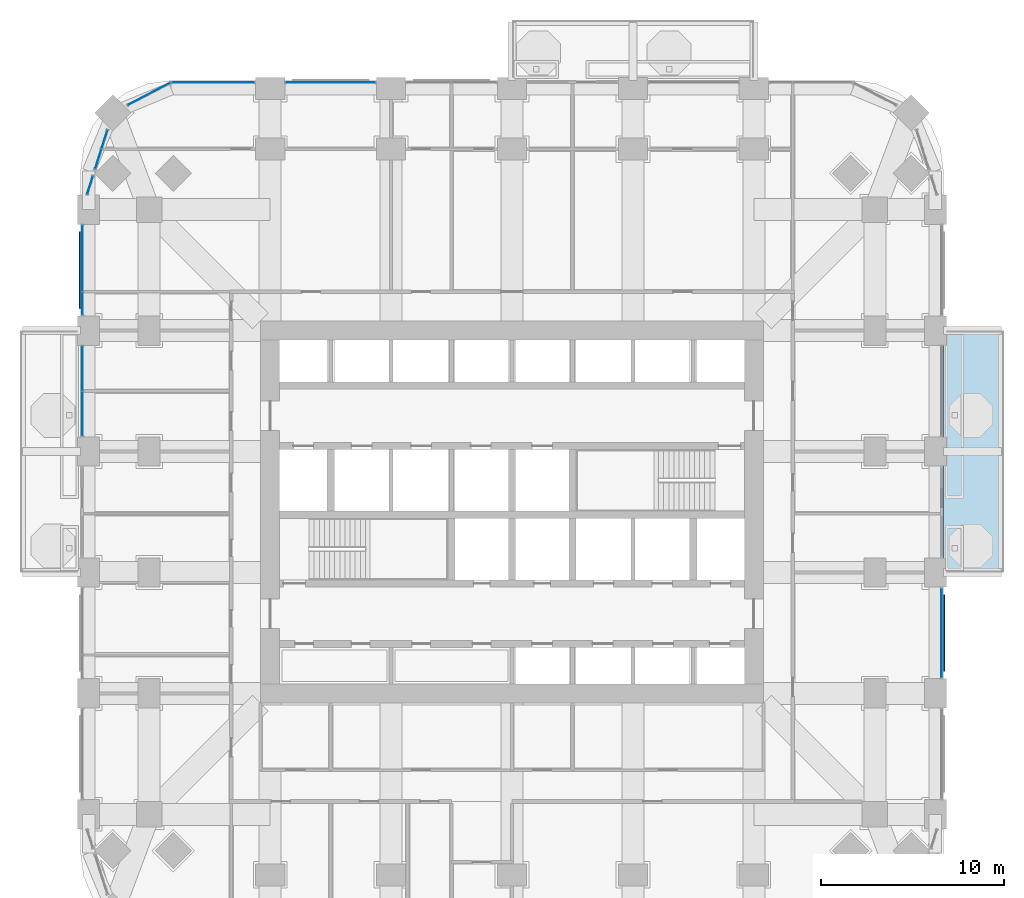
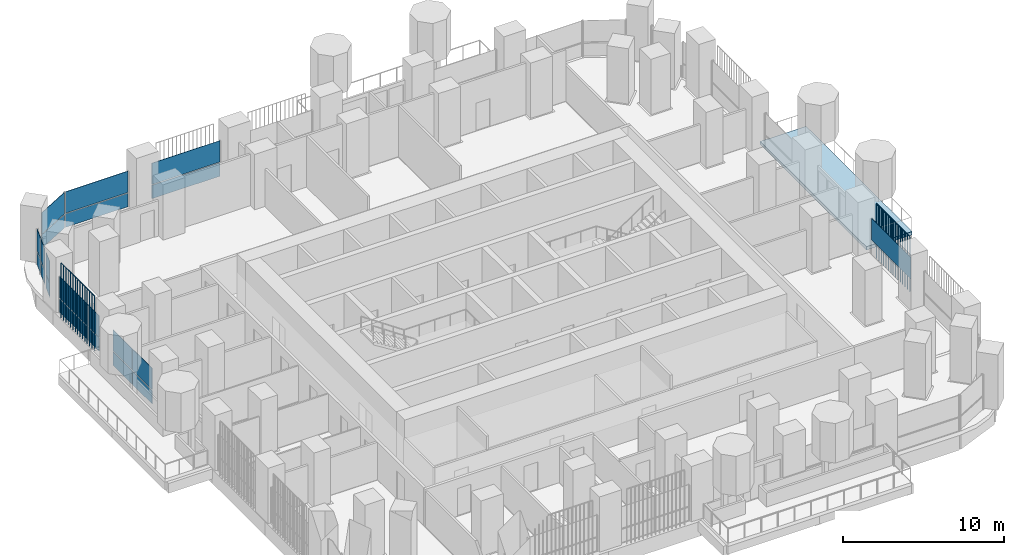
# One storey, part 11 of 21: 23 plates, 1 slab, 8 elements without a shape of their own.
"""IFC4 building model written with IfcOpenShell, lengths in metres."""

from ifc_helpers import new_model, si_unit, direction, frame, origin, origin_2d, place, context, subcontext, project, spatial, polyline, rectangle, outline, extrude, material, layer, layer_set, type_object, element, aggregate, save


model = new_model("IFC4")

# Units and contexts
model_context = context("Model", 3, precision=1e-05, world=origin(), true_north=direction((0.0, 1.0)))
body_context = subcontext(model_context, "Body", "Model", "MODEL_VIEW")
ifc_project = project(units=[si_unit("LENGTHUNIT", "METRE"), si_unit("AREAUNIT", "SQUARE_METRE"), si_unit("VOLUMEUNIT", "CUBIC_METRE"), si_unit("PLANEANGLEUNIT", "RADIAN"), si_unit("MASSUNIT", "GRAM", prefix="KILO")], contexts=[model_context])

# Site, building, storey
site_placement = place(None, origin())
site = spatial("IfcSite", under=ifc_project, at=site_placement, CompositionType="ELEMENT")
building_placement = place(site_placement, origin())
building = spatial("IfcBuilding", under=site, at=building_placement, Name="Cobogo Forest Laboratory Tower", CompositionType="ELEMENT")
storey_placement = place(building_placement, frame((0.0, 0.0, 86.39990234375)))
storey = spatial("IfcBuildingStorey", under=building, at=storey_placement, Name="L19", CompositionType="ELEMENT", Elevation=86.39990234375)

# Slab
ifc_material_1 = material(Name="Concrete HA-40 (C40/50)", Category="concrete")
ifc_layer_1 = layer(ifc_material_1, 0.25)
ifc_layer_set_1 = layer_set([ifc_layer_1], Name="Balcony slab 250")
slab_type = type_object("IfcSlabType", Name="Balcony slab 250", PredefinedType="FLOOR", material=ifc_layer_set_1)
slab_placement = place(storey_placement, frame((0.0, 0.0, -0.25)))
element("IfcSlab", 1, at=slab_placement, inside=storey, type_object=slab_type, Name="Balcony BAL-E1 L19", PredefinedType="FLOOR", context=body_context, shape_type="SweptSolid", body=[
    extrude(outline(polyline([(49.949951171875, 19.800048828125), (53.25, 19.800048828125), (53.25, 33.0), (49.949951171875, 33.0), (49.949951171875, 19.800048828125)])), origin(), (0.0, 0.0, 1.0), 0.25),
])

# Curtain wall, plate
ifc_material_2 = material(Name="Aluminium curtain wall", Category="aluminium")
curtain_wall_type = type_object("IfcCurtainWallType", Name="CW-1 unitised curtain wall, clear glazing, laboratory floors zones A and B", PredefinedType="USERDEFINED", material=ifc_material_2)
curtain_wall_1_placement = place(storey_placement, origin())
curtain_wall_1 = element("IfcCurtainWall", 2, at=curtain_wall_1_placement, inside=storey, type_object=curtain_wall_type, Name="Curtain wall 11 L19", ObjectType="UNITISED CURTAIN WALL", PredefinedType="USERDEFINED")
ifc_material_3 = material(Name="Clear insulated glass", Category="glass")
ifc_layer_2 = layer(ifc_material_3, 0.028076171875)
ifc_layer_set_2 = layer_set([ifc_layer_2], Name="GP-1 clear insulated glass unit 28")
plate_type_1 = type_object("IfcPlateType", Name="GP-1 clear insulated glass unit 28", PredefinedType="CURTAIN_PANEL", material=ifc_layer_set_2)
plate_1_placement = place(storey_placement, frame((49.85009765625, 16.5, 1.080078125), z_axis=(0.0, 0.0, 1.0), x_axis=(0.0, 1.0, 0.0)))
plate_1 = element("IfcPlate", 3, at=plate_1_placement, type_object=plate_type_1, Name="CW-1 panel 1.2", PredefinedType="CURTAIN_PANEL", context=body_context, shape_type="SweptSolid", body=[
    extrude(rectangle(XDim=4.8798828125, YDim=0.028076171875, at=origin_2d()), origin(), (0.0, 0.0, 1.0), 1.6201171875),
])
aggregate(curtain_wall_1, [plate_1])

# Curtain wall, plates
curtain_wall_2_placement = place(storey_placement, origin())
curtain_wall_2 = element("IfcCurtainWall", 4, at=curtain_wall_2_placement, inside=storey, type_object=curtain_wall_type, Name="Curtain wall 22 L19", ObjectType="UNITISED CURTAIN WALL", PredefinedType="USERDEFINED")
plate_2_placement = place(storey_placement, frame((16.5, 46.550048828125, 0.0), z_axis=(0.0, 0.0, 1.0), x_axis=(-1.0, 0.0, 0.0)))
plate_2 = element("IfcPlate", 5, at=plate_2_placement, type_object=plate_type_1, Name="CW-1 panel 1.1", PredefinedType="CURTAIN_PANEL", context=body_context, shape_type="SweptSolid", body=[
    extrude(rectangle(XDim=4.8798828125, YDim=0.028076171875, at=origin_2d()), origin(), (0.0, 0.0, 1.0), 1.02001953125),
])
plate_3_placement = place(storey_placement, frame((16.5, 46.550048828125, 1.080078125), z_axis=(0.0, 0.0, 1.0), x_axis=(-1.0, 0.0, 0.0)))
plate_3 = element("IfcPlate", 6, at=plate_3_placement, type_object=plate_type_1, Name="CW-1 panel 1.2", PredefinedType="CURTAIN_PANEL", context=body_context, shape_type="SweptSolid", body=[
    extrude(rectangle(XDim=4.8798828125, YDim=0.028076171875, at=origin_2d()), origin(), (0.0, 0.0, 1.0), 1.6201171875),
])
aggregate(curtain_wall_2, [plate_2, plate_3])

curtain_wall_3_placement = place(storey_placement, origin())
curtain_wall_3 = element("IfcCurtainWall", 7, at=curtain_wall_3_placement, inside=storey, type_object=curtain_wall_type, Name="Curtain wall 23 L19", ObjectType="UNITISED CURTAIN WALL", PredefinedType="USERDEFINED")
plate_4_placement = place(storey_placement, frame((10.10009765625, 46.550048828125, 0.0), z_axis=(0.0, 0.0, 1.0), x_axis=(-1.0, 0.0, 0.0)))
plate_4 = element("IfcPlate", 8, at=plate_4_placement, type_object=plate_type_1, Name="CW-1 panel 1.1", PredefinedType="CURTAIN_PANEL", context=body_context, shape_type="SweptSolid", body=[
    extrude(rectangle(XDim=4.47998046875, YDim=0.028076171875, at=origin_2d()), origin(), (0.0, 0.0, 1.0), 1.02001953125),
])
plate_5_placement = place(storey_placement, frame((10.10009765625, 46.550048828125, 1.080078125), z_axis=(0.0, 0.0, 1.0), x_axis=(-1.0, 0.0, 0.0)))
plate_5 = element("IfcPlate", 9, at=plate_5_placement, type_object=plate_type_1, Name="CW-1 panel 1.2", PredefinedType="CURTAIN_PANEL", context=body_context, shape_type="SweptSolid", body=[
    extrude(rectangle(XDim=4.47998046875, YDim=0.028076171875, at=origin_2d()), origin(), (0.0, 0.0, 1.0), 1.6201171875),
])
aggregate(curtain_wall_3, [plate_4, plate_5])

curtain_wall_4_placement = place(storey_placement, origin())
curtain_wall_4 = element("IfcCurtainWall", 10, at=curtain_wall_4_placement, inside=storey, type_object=curtain_wall_type, Name="Curtain wall 24 L19", ObjectType="UNITISED CURTAIN WALL", PredefinedType="USERDEFINED")
plate_6_placement = place(storey_placement, frame((6.593994140625, 45.917724609375, 0.0), z_axis=(0.0, 0.0, 1.0), x_axis=(-0.885686540666, -0.464283697413, 0.0)))
plate_6 = element("IfcPlate", 11, at=plate_6_placement, type_object=plate_type_1, Name="CW-1 panel 1.1", PredefinedType="CURTAIN_PANEL", context=body_context, shape_type="SweptSolid", body=[
    extrude(rectangle(XDim=2.603271484375, YDim=0.028076171875, at=origin_2d()), origin(), (0.0, 0.0, 1.0), 1.02001953125),
])
plate_7_placement = place(storey_placement, frame((6.593994140625, 45.917724609375, 1.080078125), z_axis=(0.0, 0.0, 1.0), x_axis=(-0.885686540666, -0.464283697413, 0.0)))
plate_7 = element("IfcPlate", 12, at=plate_7_placement, type_object=plate_type_1, Name="CW-1 panel 1.2", PredefinedType="CURTAIN_PANEL", context=body_context, shape_type="SweptSolid", body=[
    extrude(rectangle(XDim=2.603271484375, YDim=0.028076171875, at=origin_2d()), origin(), (0.0, 0.0, 1.0), 1.6201171875),
])
aggregate(curtain_wall_4, [plate_6, plate_7])

curtain_wall_5_placement = place(storey_placement, origin())
curtain_wall_5 = element("IfcCurtainWall", 13, at=curtain_wall_5_placement, inside=storey, type_object=curtain_wall_type, Name="Curtain wall 25 L19", ObjectType="UNITISED CURTAIN WALL", PredefinedType="USERDEFINED")
plate_8_placement = place(storey_placement, frame((4.16357421875, 43.442626953125, 0.0), z_axis=(0.0, 0.0, 1.0), x_axis=(-0.301135343623, -0.953581409645, 0.0)))
plate_8 = element("IfcPlate", 14, at=plate_8_placement, type_object=plate_type_1, Name="CW-1 panel 1.1", PredefinedType="CURTAIN_PANEL", context=body_context, shape_type="SweptSolid", body=[
    extrude(rectangle(XDim=1.027587890625, YDim=0.028076171875, at=origin_2d()), origin(), (0.0, 0.0, 1.0), 1.02001953125),
])
plate_9_placement = place(storey_placement, frame((4.16357421875, 43.442626953125, 1.080078125), z_axis=(0.0, 0.0, 1.0), x_axis=(-0.301135343623, -0.953581409645, 0.0)))
plate_9 = element("IfcPlate", 15, at=plate_9_placement, type_object=plate_type_1, Name="CW-1 panel 1.2", PredefinedType="CURTAIN_PANEL", context=body_context, shape_type="SweptSolid", body=[
    extrude(rectangle(XDim=1.027587890625, YDim=0.028076171875, at=origin_2d()), origin(), (0.0, 0.0, 1.0), 1.6201171875),
])
plate_10_placement = place(storey_placement, frame((3.82275390625, 42.363525390625, 0.0), z_axis=(0.0, 0.0, 1.0), x_axis=(-0.301135343623, -0.953581409645, 0.0)))
plate_10 = element("IfcPlate", 16, at=plate_10_placement, type_object=plate_type_1, Name="CW-1 panel 2.1", PredefinedType="CURTAIN_PANEL", context=body_context, shape_type="SweptSolid", body=[
    extrude(rectangle(XDim=1.11572265625, YDim=0.028076171875, at=origin_2d()), origin(), (0.0, 0.0, 1.0), 1.02001953125),
])
plate_11_placement = place(storey_placement, frame((3.82275390625, 42.363525390625, 1.080078125), z_axis=(0.0, 0.0, 1.0), x_axis=(-0.301135343623, -0.953581409645, 0.0)))
plate_11 = element("IfcPlate", 17, at=plate_11_placement, type_object=plate_type_1, Name="CW-1 panel 2.2", PredefinedType="CURTAIN_PANEL", context=body_context, shape_type="SweptSolid", body=[
    extrude(rectangle(XDim=1.11572265625, YDim=0.028076171875, at=origin_2d()), origin(), (0.0, 0.0, 1.0), 1.6201171875),
])
aggregate(curtain_wall_5, [plate_8, plate_9, plate_10, plate_11])

curtain_wall_6_placement = place(storey_placement, origin())
curtain_wall_6 = element("IfcCurtainWall", 18, at=curtain_wall_6_placement, inside=storey, type_object=curtain_wall_type, Name="Curtain wall 26 L19", ObjectType="UNITISED CURTAIN WALL", PredefinedType="USERDEFINED")
plate_12_placement = place(storey_placement, frame((3.37353515625, 40.94091796875, 0.0), z_axis=(0.0, 0.0, 1.0), x_axis=(-0.3011355018, -0.953581359694, 0.0)))
plate_12 = element("IfcPlate", 19, at=plate_12_placement, type_object=plate_type_1, Name="CW-1 panel 1.1", PredefinedType="CURTAIN_PANEL", context=body_context, shape_type="SweptSolid", body=[
    extrude(rectangle(XDim=1.0146484375, YDim=0.028076171875, at=origin_2d()), origin(), (0.0, 0.0, 1.0), 1.02001953125),
])
plate_13_placement = place(storey_placement, frame((3.37353515625, 40.94091796875, 1.080078125), z_axis=(0.0, 0.0, 1.0), x_axis=(-0.3011355018, -0.953581359694, 0.0)))
plate_13 = element("IfcPlate", 20, at=plate_13_placement, type_object=plate_type_1, Name="CW-1 panel 1.2", PredefinedType="CURTAIN_PANEL", context=body_context, shape_type="SweptSolid", body=[
    extrude(rectangle(XDim=1.0146484375, YDim=0.028076171875, at=origin_2d()), origin(), (0.0, 0.0, 1.0), 1.6201171875),
])
aggregate(curtain_wall_6, [plate_12, plate_13])

curtain_wall_7_placement = place(storey_placement, origin())
curtain_wall_7 = element("IfcCurtainWall", 21, at=curtain_wall_7_placement, inside=storey, type_object=curtain_wall_type, Name="Curtain wall 27 L19", ObjectType="UNITISED CURTAIN WALL", PredefinedType="USERDEFINED")
plate_14_placement = place(storey_placement, frame((2.949951171875, 36.947509765625, 0.0), z_axis=(0.0, 0.0, 1.0), x_axis=(0.0, -1.0, 0.0)))
plate_14 = element("IfcPlate", 22, at=plate_14_placement, type_object=plate_type_1, Name="CW-1 panel 1.1", PredefinedType="CURTAIN_PANEL", context=body_context, shape_type="SweptSolid", body=[
    extrude(rectangle(XDim=3.5849609375, YDim=0.028076171875, at=origin_2d()), origin(), (0.0, 0.0, 1.0), 1.02001953125),
])
plate_15_placement = place(storey_placement, frame((2.949951171875, 36.947509765625, 1.080078125), z_axis=(0.0, 0.0, 1.0), x_axis=(0.0, -1.0, 0.0)))
plate_15 = element("IfcPlate", 23, at=plate_15_placement, type_object=plate_type_1, Name="CW-1 panel 1.2", PredefinedType="CURTAIN_PANEL", context=body_context, shape_type="SweptSolid", body=[
    extrude(rectangle(XDim=3.5849609375, YDim=0.028076171875, at=origin_2d()), origin(), (0.0, 0.0, 1.0), 1.6201171875),
])
plate_16_placement = place(storey_placement, frame((2.949951171875, 34.4775390625, 0.0), z_axis=(0.0, 0.0, 1.0), x_axis=(0.0, -1.0, 0.0)))
plate_16 = element("IfcPlate", 24, at=plate_16_placement, type_object=plate_type_1, Name="CW-1 panel 2.1", PredefinedType="CURTAIN_PANEL", context=body_context, shape_type="SweptSolid", body=[
    extrude(rectangle(XDim=1.235107421875, YDim=0.028076171875, at=origin_2d()), origin(), (0.0, 0.0, 1.0), 1.02001953125),
])
plate_17_placement = place(storey_placement, frame((2.949951171875, 34.4775390625, 1.080078125), z_axis=(0.0, 0.0, 1.0), x_axis=(0.0, -1.0, 0.0)))
plate_17 = element("IfcPlate", 25, at=plate_17_placement, type_object=plate_type_1, Name="CW-1 panel 2.2", PredefinedType="CURTAIN_PANEL", context=body_context, shape_type="SweptSolid", body=[
    extrude(rectangle(XDim=1.235107421875, YDim=0.028076171875, at=origin_2d()), origin(), (0.0, 0.0, 1.0), 1.6201171875),
])
aggregate(curtain_wall_7, [plate_14, plate_15, plate_16, plate_17])

curtain_wall_8_placement = place(storey_placement, origin())
curtain_wall_8 = element("IfcCurtainWall", 26, at=curtain_wall_8_placement, inside=storey, type_object=curtain_wall_type, Name="Curtain wall 28 L19", ObjectType="UNITISED CURTAIN WALL", PredefinedType="USERDEFINED")
plate_18_placement = place(storey_placement, frame((2.949951171875, 30.93505859375, 0.0), z_axis=(0.0, 0.0, 1.0), x_axis=(0.0, -1.0, 0.0)))
plate_18 = element("IfcPlate", 27, at=plate_18_placement, type_object=plate_type_1, Name="CW-1 panel 1.1", PredefinedType="CURTAIN_PANEL", context=body_context, shape_type="SweptSolid", body=[
    extrude(rectangle(XDim=2.409912109375, YDim=0.028076171875, at=origin_2d()), origin(), (0.0, 0.0, 1.0), 1.02001953125),
])
plate_19_placement = place(storey_placement, frame((2.949951171875, 30.93505859375, 1.080078125), z_axis=(0.0, 0.0, 1.0), x_axis=(0.0, -1.0, 0.0)))
plate_19 = element("IfcPlate", 28, at=plate_19_placement, type_object=plate_type_1, Name="CW-1 panel 1.2", PredefinedType="CURTAIN_PANEL", context=body_context, shape_type="SweptSolid", body=[
    extrude(rectangle(XDim=2.409912109375, YDim=0.028076171875, at=origin_2d()), origin(), (0.0, 0.0, 1.0), 1.6201171875),
])
plate_20_placement = place(storey_placement, frame((2.949951171875, 28.465087890625, 0.0), z_axis=(0.0, 0.0, 1.0), x_axis=(0.0, -1.0, 0.0)))
plate_20 = element("IfcPlate", 29, at=plate_20_placement, type_object=plate_type_1, Name="CW-1 panel 2.1", PredefinedType="CURTAIN_PANEL", context=body_context, shape_type="SweptSolid", body=[
    extrude(rectangle(XDim=2.409912109375, YDim=0.028076171875, at=origin_2d()), origin(), (0.0, 0.0, 1.0), 1.02001953125),
])
plate_21_placement = place(storey_placement, frame((2.949951171875, 28.465087890625, 1.080078125), z_axis=(0.0, 0.0, 1.0), x_axis=(0.0, -1.0, 0.0)))
plate_21 = element("IfcPlate", 30, at=plate_21_placement, type_object=plate_type_1, Name="CW-1 panel 2.2", PredefinedType="CURTAIN_PANEL", context=body_context, shape_type="SweptSolid", body=[
    extrude(rectangle(XDim=2.409912109375, YDim=0.028076171875, at=origin_2d()), origin(), (0.0, 0.0, 1.0), 1.6201171875),
])
aggregate(curtain_wall_8, [plate_18, plate_19, plate_20, plate_21])

# Plates
ifc_material_4 = material(Name="Terracotta", Category="masonry")
plate_type_2 = type_object("IfcPlateType", Name="TB1 terracotta baguette screen", PredefinedType="USERDEFINED", material=ifc_material_4)
plate_22_placement = place(storey_placement, frame((49.977783203125, 14.43115234375, -0.14990234375)))
element("IfcPlate", 31, at=plate_22_placement, inside=storey, type_object=plate_type_2, Name="Baguette screen E2 L19", ObjectType="BAGUETTE SCREEN", PredefinedType="USERDEFINED", context=body_context, shape_type="SweptSolid", body=[
    extrude(outline(polyline([(0.02880859375, 0.011962890625), (0.011962890625, 0.02880859375), (-0.011962890625, 0.02880859375), (-0.02880859375, 0.011962890625), (-0.02880859375, -0.011962890625), (-0.011962890625, -0.02880859375), (0.011962890625, -0.02880859375), (0.02880859375, -0.011962890625), (0.02880859375, 0.011962890625)])), frame((0.0, 0.0, 4.168701171875), z_axis=(0.0, 1.0, 0.0), x_axis=(-1.0, 0.0, 0.0)), (0.0, 0.0, 1.0), 4.1376953125),
    extrude(outline(polyline([(0.02880859375, 0.011962890625), (0.011962890625, 0.02880859375), (-0.011962890625, 0.02880859375), (-0.02880859375, 0.011962890625), (-0.02880859375, -0.011962890625), (-0.011962890625, -0.02880859375), (0.011962890625, -0.02880859375), (0.02880859375, -0.011962890625), (0.02880859375, 0.011962890625)])), origin(), (0.0, 0.0, 1.0), 4.137451171875),
    extrude(outline(polyline([(0.02880859375, 0.011962890625), (0.011962890625, 0.02880859375), (-0.011962890625, 0.02880859375), (-0.02880859375, 0.011962890625), (-0.02880859375, -0.011962890625), (-0.011962890625, -0.02880859375), (0.011962890625, -0.02880859375), (0.02880859375, -0.011962890625), (0.02880859375, 0.011962890625)])), frame((0.0, 0.295654296875, 0.0)), (0.0, 0.0, 1.0), 4.137451171875),
    extrude(outline(polyline([(0.02880859375, 0.011962890625), (0.011962890625, 0.02880859375), (-0.011962890625, 0.02880859375), (-0.02880859375, 0.011962890625), (-0.02880859375, -0.011962890625), (-0.011962890625, -0.02880859375), (0.011962890625, -0.02880859375), (0.02880859375, -0.011962890625), (0.02880859375, 0.011962890625)])), frame((0.0, 0.591064453125, 0.0)), (0.0, 0.0, 1.0), 4.137451171875),
    extrude(outline(polyline([(0.02880859375, 0.011962890625), (0.011962890625, 0.02880859375), (-0.011962890625, 0.02880859375), (-0.02880859375, 0.011962890625), (-0.02880859375, -0.011962890625), (-0.011962890625, -0.02880859375), (0.011962890625, -0.02880859375), (0.02880859375, -0.011962890625), (0.02880859375, 0.011962890625)])), frame((0.0, 0.88671875, 0.0)), (0.0, 0.0, 1.0), 4.137451171875),
    extrude(outline(polyline([(0.02880859375, 0.011962890625), (0.011962890625, 0.02880859375), (-0.011962890625, 0.02880859375), (-0.02880859375, 0.011962890625), (-0.02880859375, -0.011962890625), (-0.011962890625, -0.02880859375), (0.011962890625, -0.02880859375), (0.02880859375, -0.011962890625), (0.02880859375, 0.011962890625)])), frame((0.0, 1.18212890625, 0.0)), (0.0, 0.0, 1.0), 4.137451171875),
    extrude(outline(polyline([(0.02880859375, 0.011962890625), (0.011962890625, 0.02880859375), (-0.011962890625, 0.02880859375), (-0.02880859375, 0.011962890625), (-0.02880859375, -0.011962890625), (-0.011962890625, -0.02880859375), (0.011962890625, -0.02880859375), (0.02880859375, -0.011962890625), (0.02880859375, 0.011962890625)])), frame((0.0, 1.477783203125, 0.0)), (0.0, 0.0, 1.0), 4.137451171875),
    extrude(outline(polyline([(0.02880859375, 0.011962890625), (0.011962890625, 0.02880859375), (-0.011962890625, 0.02880859375), (-0.02880859375, 0.011962890625), (-0.02880859375, -0.011962890625), (-0.011962890625, -0.02880859375), (0.011962890625, -0.02880859375), (0.02880859375, -0.011962890625), (0.02880859375, 0.011962890625)])), frame((0.0, 1.773193359375, 0.0)), (0.0, 0.0, 1.0), 4.137451171875),
    extrude(outline(polyline([(0.02880859375, 0.011962890625), (0.011962890625, 0.02880859375), (-0.011962890625, 0.02880859375), (-0.02880859375, 0.011962890625), (-0.02880859375, -0.011962890625), (-0.011962890625, -0.02880859375), (0.011962890625, -0.02880859375), (0.02880859375, -0.011962890625), (0.02880859375, 0.011962890625)])), frame((0.0, 2.06884765625, 0.0)), (0.0, 0.0, 1.0), 4.137451171875),
    extrude(outline(polyline([(0.02880859375, 0.011962890625), (0.011962890625, 0.02880859375), (-0.011962890625, 0.02880859375), (-0.02880859375, 0.011962890625), (-0.02880859375, -0.011962890625), (-0.011962890625, -0.02880859375), (0.011962890625, -0.02880859375), (0.02880859375, -0.011962890625), (0.02880859375, 0.011962890625)])), frame((0.0, 2.364501953125, 0.0)), (0.0, 0.0, 1.0), 4.137451171875),
    extrude(outline(polyline([(0.02880859375, 0.011962890625), (0.011962890625, 0.02880859375), (-0.011962890625, 0.02880859375), (-0.02880859375, 0.011962890625), (-0.02880859375, -0.011962890625), (-0.011962890625, -0.02880859375), (0.011962890625, -0.02880859375), (0.02880859375, -0.011962890625), (0.02880859375, 0.011962890625)])), frame((0.0, 2.659912109375, 0.0)), (0.0, 0.0, 1.0), 4.137451171875),
    extrude(outline(polyline([(0.02880859375, 0.011962890625), (0.011962890625, 0.02880859375), (-0.011962890625, 0.02880859375), (-0.02880859375, 0.011962890625), (-0.02880859375, -0.011962890625), (-0.011962890625, -0.02880859375), (0.011962890625, -0.02880859375), (0.02880859375, -0.011962890625), (0.02880859375, 0.011962890625)])), frame((0.0, 2.95556640625, 0.0)), (0.0, 0.0, 1.0), 4.137451171875),
    extrude(outline(polyline([(0.02880859375, 0.011962890625), (0.011962890625, 0.02880859375), (-0.011962890625, 0.02880859375), (-0.02880859375, 0.011962890625), (-0.02880859375, -0.011962890625), (-0.011962890625, -0.02880859375), (0.011962890625, -0.02880859375), (0.02880859375, -0.011962890625), (0.02880859375, 0.011962890625)])), frame((0.0, 3.2509765625, 0.0)), (0.0, 0.0, 1.0), 4.137451171875),
    extrude(outline(polyline([(0.02880859375, 0.011962890625), (0.011962890625, 0.02880859375), (-0.011962890625, 0.02880859375), (-0.02880859375, 0.011962890625), (-0.02880859375, -0.011962890625), (-0.011962890625, -0.02880859375), (0.011962890625, -0.02880859375), (0.02880859375, -0.011962890625), (0.02880859375, 0.011962890625)])), frame((0.0, 3.546630859375, 0.0)), (0.0, 0.0, 1.0), 4.137451171875),
    extrude(outline(polyline([(0.02880859375, 0.011962890625), (0.011962890625, 0.02880859375), (-0.011962890625, 0.02880859375), (-0.02880859375, 0.011962890625), (-0.02880859375, -0.011962890625), (-0.011962890625, -0.02880859375), (0.011962890625, -0.02880859375), (0.02880859375, -0.011962890625), (0.02880859375, 0.011962890625)])), frame((0.0, 3.842041015625, 0.0)), (0.0, 0.0, 1.0), 4.137451171875),
    extrude(outline(polyline([(0.02880859375, 0.011962890625), (0.011962890625, 0.02880859375), (-0.011962890625, 0.02880859375), (-0.02880859375, 0.011962890625), (-0.02880859375, -0.011962890625), (-0.011962890625, -0.02880859375), (0.011962890625, -0.02880859375), (0.02880859375, -0.011962890625), (0.02880859375, 0.011962890625)])), frame((0.0, 4.1376953125, 0.0)), (0.0, 0.0, 1.0), 4.137451171875),
])
plate_23_placement = place(storey_placement, frame((2.822021484375, 34.231201171875, -0.14990234375)))
element("IfcPlate", 32, at=plate_23_placement, inside=storey, type_object=plate_type_2, Name="Baguette screen W5 L19", ObjectType="BAGUETTE SCREEN", PredefinedType="USERDEFINED", context=body_context, shape_type="SweptSolid", body=[
    extrude(outline(polyline([(0.02880859375, 0.011962890625), (0.011962890625, 0.02880859375), (-0.011962890625, 0.02880859375), (-0.02880859375, 0.011962890625), (-0.02880859375, -0.011962890625), (-0.011962890625, -0.02880859375), (0.011962890625, -0.02880859375), (0.02880859375, -0.011962890625), (0.02880859375, 0.011962890625)])), frame((0.0, 0.0, 4.168701171875), z_axis=(0.0, 1.0, 0.0), x_axis=(-1.0, 0.0, 0.0)), (0.0, 0.0, 1.0), 4.137451171875),
    extrude(outline(polyline([(0.02880859375, 0.011962890625), (0.011962890625, 0.02880859375), (-0.011962890625, 0.02880859375), (-0.02880859375, 0.011962890625), (-0.02880859375, -0.011962890625), (-0.011962890625, -0.02880859375), (0.011962890625, -0.02880859375), (0.02880859375, -0.011962890625), (0.02880859375, 0.011962890625)])), origin(), (0.0, 0.0, 1.0), 4.137451171875),
    extrude(outline(polyline([(0.02880859375, 0.011962890625), (0.011962890625, 0.02880859375), (-0.011962890625, 0.02880859375), (-0.02880859375, 0.011962890625), (-0.02880859375, -0.011962890625), (-0.011962890625, -0.02880859375), (0.011962890625, -0.02880859375), (0.02880859375, -0.011962890625), (0.02880859375, 0.011962890625)])), frame((0.0, 0.29541015625, 0.0)), (0.0, 0.0, 1.0), 4.137451171875),
    extrude(outline(polyline([(0.02880859375, 0.011962890625), (0.011962890625, 0.02880859375), (-0.011962890625, 0.02880859375), (-0.02880859375, 0.011962890625), (-0.02880859375, -0.011962890625), (-0.011962890625, -0.02880859375), (0.011962890625, -0.02880859375), (0.02880859375, -0.011962890625), (0.02880859375, 0.011962890625)])), frame((0.0, 0.591064453125, 0.0)), (0.0, 0.0, 1.0), 4.137451171875),
    extrude(outline(polyline([(0.02880859375, 0.011962890625), (0.011962890625, 0.02880859375), (-0.011962890625, 0.02880859375), (-0.02880859375, 0.011962890625), (-0.02880859375, -0.011962890625), (-0.011962890625, -0.02880859375), (0.011962890625, -0.02880859375), (0.02880859375, -0.011962890625), (0.02880859375, 0.011962890625)])), frame((0.0, 0.88671875, 0.0)), (0.0, 0.0, 1.0), 4.137451171875),
    extrude(outline(polyline([(0.02880859375, 0.011962890625), (0.011962890625, 0.02880859375), (-0.011962890625, 0.02880859375), (-0.02880859375, 0.011962890625), (-0.02880859375, -0.011962890625), (-0.011962890625, -0.02880859375), (0.011962890625, -0.02880859375), (0.02880859375, -0.011962890625), (0.02880859375, 0.011962890625)])), frame((0.0, 1.18212890625, 0.0)), (0.0, 0.0, 1.0), 4.137451171875),
    extrude(outline(polyline([(0.02880859375, 0.011962890625), (0.011962890625, 0.02880859375), (-0.011962890625, 0.02880859375), (-0.02880859375, 0.011962890625), (-0.02880859375, -0.011962890625), (-0.011962890625, -0.02880859375), (0.011962890625, -0.02880859375), (0.02880859375, -0.011962890625), (0.02880859375, 0.011962890625)])), frame((0.0, 1.4775390625, 0.0)), (0.0, 0.0, 1.0), 4.137451171875),
    extrude(outline(polyline([(0.02880859375, 0.011962890625), (0.011962890625, 0.02880859375), (-0.011962890625, 0.02880859375), (-0.02880859375, 0.011962890625), (-0.02880859375, -0.011962890625), (-0.011962890625, -0.02880859375), (0.011962890625, -0.02880859375), (0.02880859375, -0.011962890625), (0.02880859375, 0.011962890625)])), frame((0.0, 1.773193359375, 0.0)), (0.0, 0.0, 1.0), 4.137451171875),
    extrude(outline(polyline([(0.02880859375, 0.011962890625), (0.011962890625, 0.02880859375), (-0.011962890625, 0.02880859375), (-0.02880859375, 0.011962890625), (-0.02880859375, -0.011962890625), (-0.011962890625, -0.02880859375), (0.011962890625, -0.02880859375), (0.02880859375, -0.011962890625), (0.02880859375, 0.011962890625)])), frame((0.0, 2.06884765625, 0.0)), (0.0, 0.0, 1.0), 4.137451171875),
    extrude(outline(polyline([(0.02880859375, 0.011962890625), (0.011962890625, 0.02880859375), (-0.011962890625, 0.02880859375), (-0.02880859375, 0.011962890625), (-0.02880859375, -0.011962890625), (-0.011962890625, -0.02880859375), (0.011962890625, -0.02880859375), (0.02880859375, -0.011962890625), (0.02880859375, 0.011962890625)])), frame((0.0, 2.3642578125, 0.0)), (0.0, 0.0, 1.0), 4.137451171875),
    extrude(outline(polyline([(0.02880859375, 0.011962890625), (0.011962890625, 0.02880859375), (-0.011962890625, 0.02880859375), (-0.02880859375, 0.011962890625), (-0.02880859375, -0.011962890625), (-0.011962890625, -0.02880859375), (0.011962890625, -0.02880859375), (0.02880859375, -0.011962890625), (0.02880859375, 0.011962890625)])), frame((0.0, 2.65966796875, 0.0)), (0.0, 0.0, 1.0), 4.137451171875),
    extrude(outline(polyline([(0.02880859375, 0.011962890625), (0.011962890625, 0.02880859375), (-0.011962890625, 0.02880859375), (-0.02880859375, 0.011962890625), (-0.02880859375, -0.011962890625), (-0.011962890625, -0.02880859375), (0.011962890625, -0.02880859375), (0.02880859375, -0.011962890625), (0.02880859375, 0.011962890625)])), frame((0.0, 2.955322265625, 0.0)), (0.0, 0.0, 1.0), 4.137451171875),
    extrude(outline(polyline([(0.02880859375, 0.011962890625), (0.011962890625, 0.02880859375), (-0.011962890625, 0.02880859375), (-0.02880859375, 0.011962890625), (-0.02880859375, -0.011962890625), (-0.011962890625, -0.02880859375), (0.011962890625, -0.02880859375), (0.02880859375, -0.011962890625), (0.02880859375, 0.011962890625)])), frame((0.0, 3.2509765625, 0.0)), (0.0, 0.0, 1.0), 4.137451171875),
    extrude(outline(polyline([(0.02880859375, 0.011962890625), (0.011962890625, 0.02880859375), (-0.011962890625, 0.02880859375), (-0.02880859375, 0.011962890625), (-0.02880859375, -0.011962890625), (-0.011962890625, -0.02880859375), (0.011962890625, -0.02880859375), (0.02880859375, -0.011962890625), (0.02880859375, 0.011962890625)])), frame((0.0, 3.54638671875, 0.0)), (0.0, 0.0, 1.0), 4.137451171875),
    extrude(outline(polyline([(0.02880859375, 0.011962890625), (0.011962890625, 0.02880859375), (-0.011962890625, 0.02880859375), (-0.02880859375, 0.011962890625), (-0.02880859375, -0.011962890625), (-0.011962890625, -0.02880859375), (0.011962890625, -0.02880859375), (0.02880859375, -0.011962890625), (0.02880859375, 0.011962890625)])), frame((0.0, 3.841796875, 0.0)), (0.0, 0.0, 1.0), 4.137451171875),
    extrude(outline(polyline([(0.02880859375, 0.011962890625), (0.011962890625, 0.02880859375), (-0.011962890625, 0.02880859375), (-0.02880859375, 0.011962890625), (-0.02880859375, -0.011962890625), (-0.011962890625, -0.02880859375), (0.011962890625, -0.02880859375), (0.02880859375, -0.011962890625), (0.02880859375, 0.011962890625)])), frame((0.0, 4.137451171875, 0.0)), (0.0, 0.0, 1.0), 4.137451171875),
])

save(model, "model.ifc")
